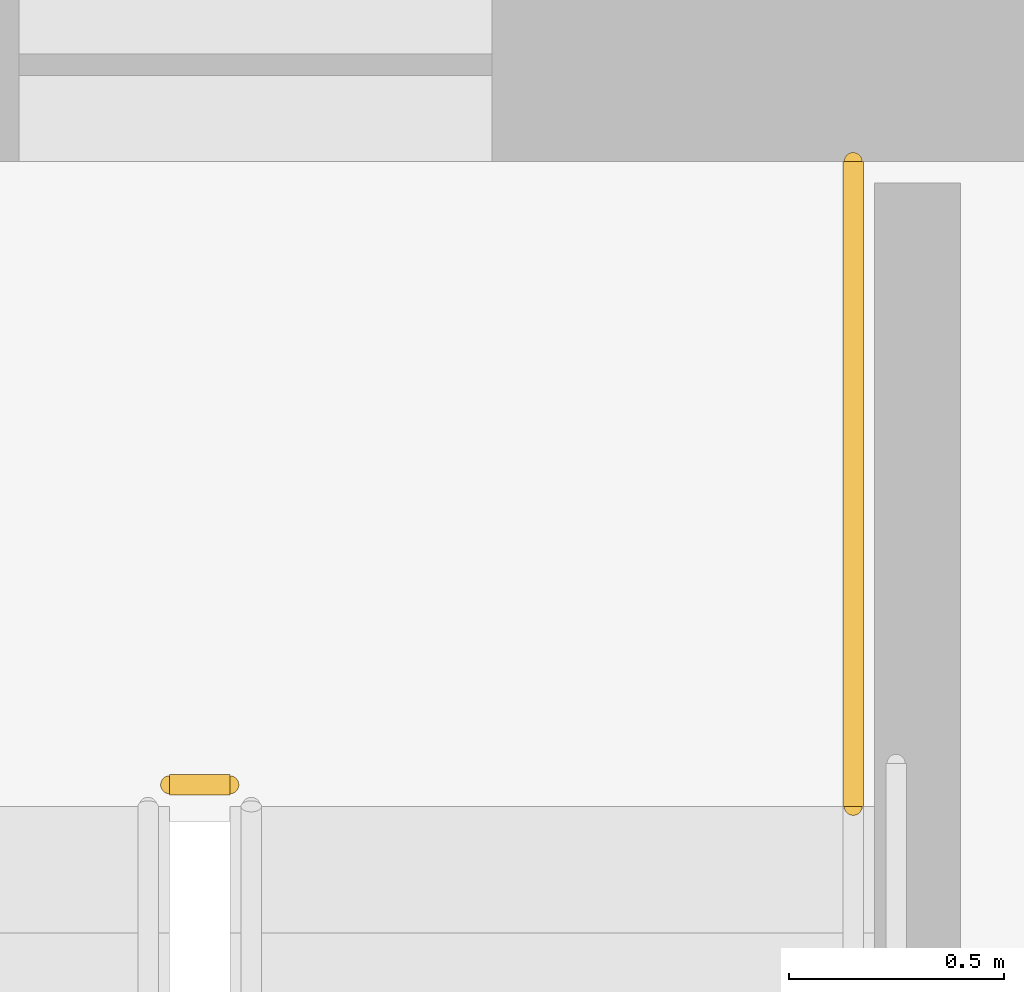
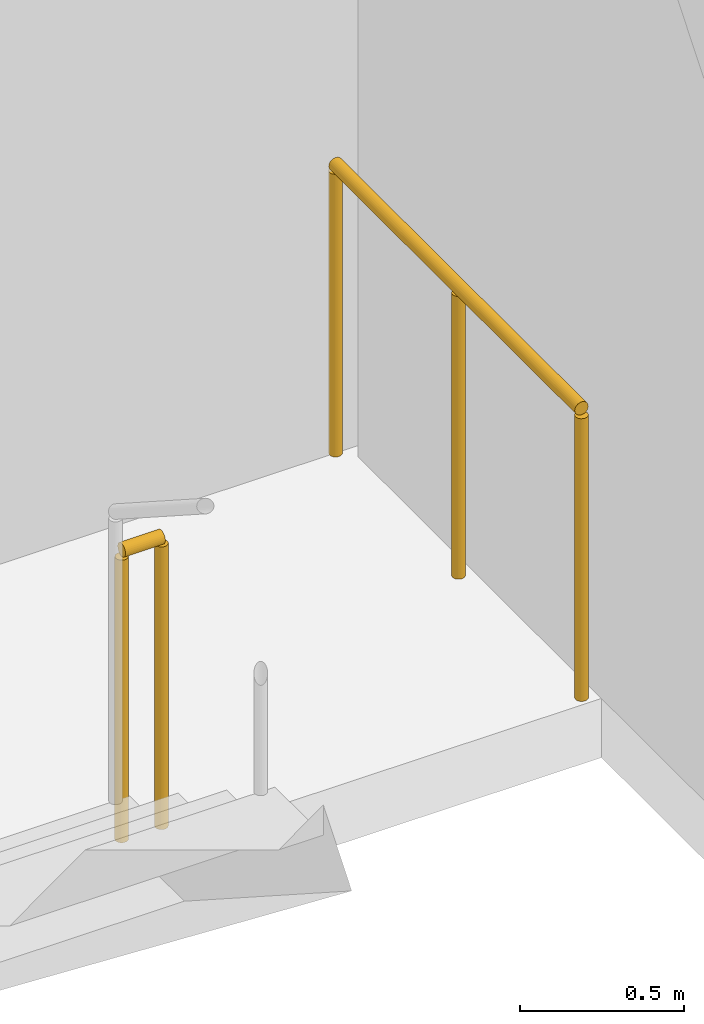
# One storey, part 33 of 36: 2 railings.
"""IFC4 building model written with IfcOpenShell, lengths in metres."""

from ifc_helpers import new_model, si_unit, direction, frame, origin, origin_2d, place, context, subcontext, project, spatial, circle, extrude, material, layer, layer_set, type_object, element, save


model = new_model("IFC4")

# Units and contexts
model_context = context("Model", 3, precision=1e-05, world=origin(), true_north=direction((0.0, 1.0)))
body_context = subcontext(model_context, "Body", "Model", "MODEL_VIEW")
ifc_project = project(units=[si_unit("LENGTHUNIT", "METRE"), si_unit("AREAUNIT", "SQUARE_METRE"), si_unit("VOLUMEUNIT", "CUBIC_METRE"), si_unit("PLANEANGLEUNIT", "RADIAN"), si_unit("MASSUNIT", "GRAM", prefix="KILO")], contexts=[model_context])

# Site, building, storey
site_placement = place(None, origin())
site = spatial("IfcSite", under=ifc_project, at=site_placement, CompositionType="ELEMENT")
building_placement = place(site_placement, origin())
building = spatial("IfcBuilding", under=site, at=building_placement, Name="Ndaravel Arena Tower", CompositionType="ELEMENT")
storey_placement = place(building_placement, frame((0.0, 0.0, 127.0)))
storey = spatial("IfcBuildingStorey", under=building, at=storey_placement, Name="L29", CompositionType="ELEMENT", Elevation=127.0)

# Railings
ifc_material = material(Name="Steel S355", Category="steel")
ifc_layer = layer(ifc_material, 0.06005859375)
ifc_layer_set = layer_set([ifc_layer], Name="Steel S355")
railing_type = type_object("IfcRailingType", Name="RAIL-STAIR-GD1100", PredefinedType="GUARDRAIL", material=ifc_layer_set)
railing_1_placement = place(storey_placement, frame((40.449951171875, 13.300048828125, 0.0)))
element("IfcRailing", 1, at=railing_1_placement, inside=storey, type_object=railing_type, Name="L29 ST-2 stair guard 4", PredefinedType="GUARDRAIL", context=body_context, shape_type="SweptSolid", body=[
    extrude(circle(Radius=0.02392578125, at=origin_2d()), frame((0.0, 0.0, 1.076171875), z_axis=(1.0, 0.0, 0.0), x_axis=(0.0, 1.0, 0.0)), (0.0, 0.0, 1.0), 0.14013671875),
    extrude(circle(Radius=0.02099609375, at=origin_2d()), origin(), (0.0, 0.0, 1.0), 1.052001953125),
    extrude(circle(Radius=0.02099609375, at=origin_2d()), frame((0.14013671875, 0.0, 0.0)), (0.0, 0.0, 1.0), 1.052001953125),
])
railing_2_placement = place(storey_placement, frame((42.0400390625, 14.75, 0.0)))
element("IfcRailing", 2, at=railing_2_placement, inside=storey, type_object=railing_type, Name="L29 ST-2 stair guard 5", PredefinedType="GUARDRAIL", context=body_context, shape_type="SweptSolid", body=[
    extrude(circle(Radius=0.02392578125, at=origin_2d()), frame((0.0, 0.0, 1.076171875), z_axis=(0.0, -1.0, 0.0), x_axis=(1.0, 0.0, 0.0)), (0.0, 0.0, 1.0), 1.5),
    extrude(circle(Radius=0.02099609375, at=origin_2d()), origin(), (0.0, 0.0, 1.0), 1.052001953125),
    extrude(circle(Radius=0.02099609375, at=origin_2d()), frame((0.0, -0.75, 0.0)), (0.0, 0.0, 1.0), 1.052001953125),
    extrude(circle(Radius=0.02099609375, at=origin_2d()), frame((0.0, -1.5, 0.0)), (0.0, 0.0, 1.0), 1.052001953125),
])

save(model, "model.ifc")
